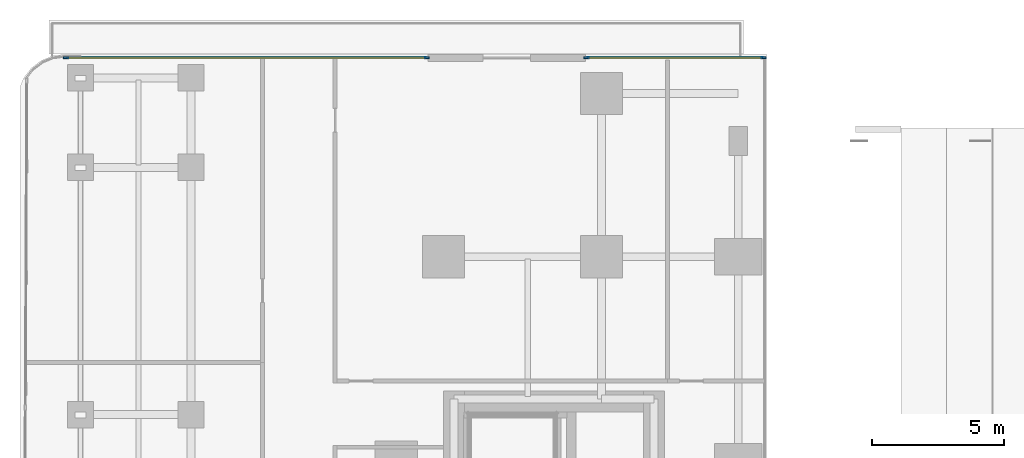
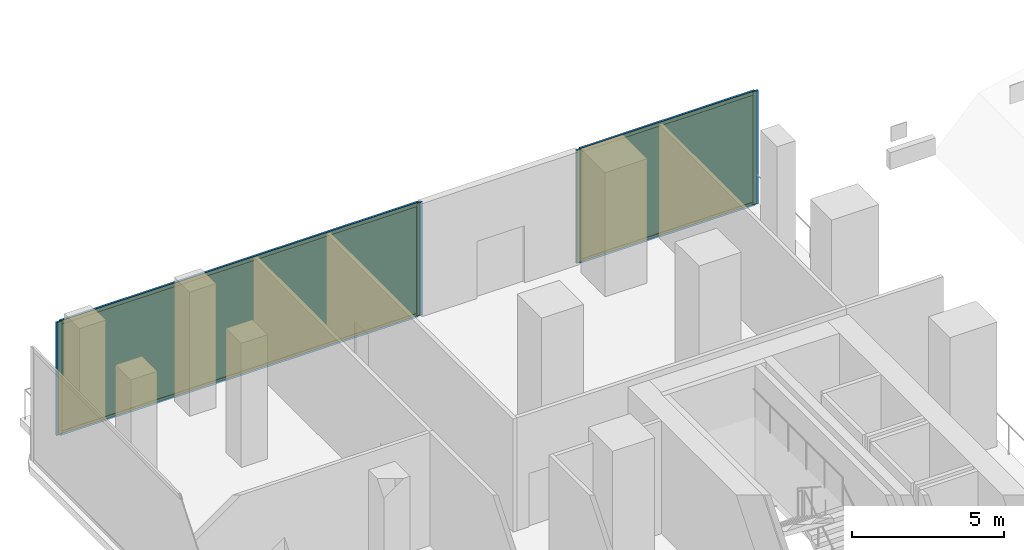
# One storey, part 19 of 32: 8 members, 2 curtain walls, 2 plates.
"""IFC4 building model written with IfcOpenShell, lengths in metres."""

import ifcopenshell
import ifcopenshell.guid

model = None  # the IFC model being written
_history = None  # IfcOwnerHistory: only IFC2X3 demands one
_inside = {}  # id of a spatial element -> (the spatial element, [elements in it])
_under = {}  # id of a project, library or spatial element -> (it, [spatial elements below it])
_declared = {}  # id of a project -> (the project, [libraries it declares])
_typed = {}  # id of a type object -> (the type object, [elements of that type])
_made_of = {}  # id of a material, layer set ... -> (it, [elements and type objects made of it])


def new_model(schema):
    """Start an empty IFC model of exactly this schema.

    Asked for "IFC4X3", IfcOpenShell would pick the latest addendum, in which some entities
    have other attributes; the version numbers below select the first issue.
    IFC2X3 requires an IfcOwnerHistory on every rooted entity: one is made here for all.
    """
    global model, _history
    if schema == "IFC4X3":
        model = ifcopenshell.file(schema_version=(4, 3, 0, 0))
    else:
        model = ifcopenshell.file(schema=schema)
    _inside.clear()
    _under.clear()
    _declared.clear()
    _typed.clear()
    _made_of.clear()
    _history = None
    if model.schema == "IFC2X3":
        org = make("IfcOrganization", Name="unknown")
        user = make(
            "IfcPersonAndOrganization",
            ThePerson=make("IfcPerson", FamilyName="unknown"),
            TheOrganization=org,
        )
        app = make(
            "IfcApplication",
            ApplicationDeveloper=org,
            Version="unknown",
            ApplicationFullName="unknown",
            ApplicationIdentifier="unknown",
        )
        _history = make(
            "IfcOwnerHistory",
            OwningUser=user,
            OwningApplication=app,
            ChangeAction="ADDED",
            CreationDate=0,
        )
    return model


def make(cls, **values):
    """One entity of the class cls with the attributes given. An attribute that is None is left unset."""
    return model.create_entity(
        cls, **{name: value for name, value in values.items() if value is not None}
    )


def rooted(cls, **values):
    """An entity with a GlobalId (a new one), such as an element, a storey or a relation."""
    return make(cls, GlobalId=ifcopenshell.guid.new(), OwnerHistory=_history, **values)


def si_unit(unit_type, name, prefix=None):
    """IfcSIUnit, for example si_unit("LENGTHUNIT", "METRE", prefix="MILLI")."""
    return make("IfcSIUnit", UnitType=unit_type, Prefix=prefix, Name=name)


def assignment(units):
    """IfcUnitAssignment: the units of a project."""
    return None if units is None else make("IfcUnitAssignment", Units=units)


def point(xyz):
    """IfcCartesianPoint."""
    return None if xyz is None else make("IfcCartesianPoint", Coordinates=xyz)


def direction(xyz):
    """IfcDirection."""
    return None if xyz is None else make("IfcDirection", DirectionRatios=xyz)


def frame(location, z_axis=None, x_axis=None):
    """IfcAxis2Placement3D, a coordinate frame: its origin and axes. An axis left out is left unset."""
    return make(
        "IfcAxis2Placement3D",
        Location=point(location),
        Axis=direction(z_axis),
        RefDirection=direction(x_axis),
    )


def frame_2d(location, x_axis=None):
    """IfcAxis2Placement2D, a coordinate frame in the plane: its origin and x axis."""
    return make(
        "IfcAxis2Placement2D", Location=point(location), RefDirection=direction(x_axis)
    )


def origin():
    """The frame at (0, 0, 0) with its axes left unset."""
    return frame((0.0, 0.0, 0.0))


def origin_2d():
    """The frame at (0, 0) in the plane with its x axis left unset."""
    return frame_2d((0.0, 0.0))


def place(relative_to, where):
    """IfcLocalPlacement: puts the frame where relative to a parent placement (None: the world)."""
    return make(
        "IfcLocalPlacement", PlacementRelTo=relative_to, RelativePlacement=where
    )


def context(
    kind, dimensions, precision=None, world=None, true_north=None, identifier=None
):
    """IfcGeometricRepresentationContext, for example the 3D "Model" context."""
    return make(
        "IfcGeometricRepresentationContext",
        ContextIdentifier=identifier,
        ContextType=kind,
        CoordinateSpaceDimension=dimensions,
        Precision=precision,
        WorldCoordinateSystem=world,
        TrueNorth=true_north,
    )


def subcontext(parent, identifier, kind, view, scale=None):
    """IfcGeometricRepresentationSubContext, for example "Body" below "Model"."""
    return make(
        "IfcGeometricRepresentationSubContext",
        ContextIdentifier=identifier,
        ContextType=kind,
        ParentContext=parent,
        TargetScale=scale,
        TargetView=view,
    )


def project(units=None, contexts=None):
    """IfcProject with its units and contexts."""
    return rooted(
        "IfcProject",
        Name="project",
        RepresentationContexts=contexts,
        UnitsInContext=assignment(units),
    )


def spatial(cls, under=None, at=None, **own):
    """A site, building, storey or space (cls), placed at a placement, below another one or the project."""
    s = rooted(cls, ObjectPlacement=at, **own)
    if under is not None:
        _under.setdefault(under.id(), (under, []))[1].append(s)
    return s


def profile(cls, at=None, kind="AREA", **sizes):
    """A parametric profile (cls). Its sizes go by their IFC names, for example OverallWidth=200.0."""
    return make(cls, ProfileType=kind, Position=at, **sizes)


def rectangle(**sizes):
    """IfcRectangleProfileDef."""
    return profile("IfcRectangleProfileDef", **sizes)


def extrude(swept, where, along, depth):
    """IfcExtrudedAreaSolid: the profile swept, set in the frame where, extruded along a direction by depth."""
    return make(
        "IfcExtrudedAreaSolid",
        SweptArea=swept,
        Position=where,
        ExtrudedDirection=direction(along),
        Depth=depth,
    )


def shape(context_of_items, identifier, shape_type, items):
    """IfcShapeRepresentation: the items that make up one representation, for example the "Body"."""
    return make(
        "IfcShapeRepresentation",
        ContextOfItems=context_of_items,
        RepresentationIdentifier=identifier,
        RepresentationType=shape_type,
        Items=items,
    )


def material(Name=None, Category=None):
    """IfcMaterial."""
    return make("IfcMaterial", Name=Name, Category=Category)


def layer(
    of_material, thickness, ventilated=None, Name=None, Category=None, Priority=None
):
    """IfcMaterialLayer: one layer of a wall or slab, of a material (None: an air gap)."""
    return make(
        "IfcMaterialLayer",
        Material=of_material,
        LayerThickness=thickness,
        IsVentilated=ventilated,
        Name=Name,
        Category=Category,
        Priority=Priority,
    )


def layer_set(layers, Name=None):
    """IfcMaterialLayerSet."""
    return make("IfcMaterialLayerSet", MaterialLayers=layers, LayerSetName=Name)


def material_profile(
    of_material, cross_section, Name=None, Category=None, Priority=None
):
    """IfcMaterialProfile: a cross section and its material."""
    return make(
        "IfcMaterialProfile",
        Name=Name,
        Material=of_material,
        Profile=cross_section,
        Priority=Priority,
        Category=Category,
    )


def profile_set(profiles, Name=None, composite=None):
    """IfcMaterialProfileSet."""
    return make(
        "IfcMaterialProfileSet",
        Name=Name,
        MaterialProfiles=profiles,
        CompositeProfile=composite,
    )


def made_of(thing, what):
    """Note that an element or type object is made of a material, layer set ...; save() writes the relation."""
    if what is not None:
        _made_of.setdefault(what.id(), (what, []))[1].append(thing)
    return thing


def type_object(cls, material=None, **own):
    """A type object (cls), such as IfcWallType, which elements share."""
    return made_of(rooted(cls, **own), material)


def element(
    cls,
    number,
    at=None,
    inside=None,
    cuts=None,
    type_object=None,
    material=None,
    context=None,
    identifier="Body",
    shape_type=None,
    held_by="IfcProductDefinitionShape",
    body=None,
    shapes=None,
    **own,
):
    """One element of the class cls, such as IfcWall. Its Tag is "e" and its number.

    at: its placement. inside: the storey or other place that contains it. cuts: it is an
    opening in that element (IfcRelVoidsElement). A single representation is given by context,
    identifier, shape_type and body (its items); several are given by shapes. held_by: the class
    of the entity that holds the representations. save() writes the other relations.
    """
    e = rooted(cls, Tag="e%d" % number, ObjectPlacement=at, **own)
    if body is not None:
        shapes = [shape(context, identifier, shape_type, body)]
    if shapes is not None:
        e.Representation = make(held_by, Representations=shapes)
    if inside is not None:
        _inside.setdefault(inside.id(), (inside, []))[1].append(e)
    if cuts is not None:
        rooted(
            "IfcRelVoidsElement", RelatingBuildingElement=cuts, RelatedOpeningElement=e
        )
    if type_object is not None:
        _typed.setdefault(type_object.id(), (type_object, []))[1].append(e)
    return made_of(e, material)


def aggregate(whole, parts):
    """IfcRelAggregates: a whole, such as a stair, and the parts it consists of."""
    return rooted("IfcRelAggregates", RelatingObject=whole, RelatedObjects=parts)


def save(model, path):
    """Write the relations noted so far, then the file.

    IfcRelAggregates (storeys below a building ...), IfcRelContainedInSpatialStructure (elements
    in a storey), IfcRelDefinesByType, IfcRelAssociatesMaterial and IfcRelDeclares: one each for
    every whole, place, type object, material and project.
    """
    for whole, parts in _under.values():
        aggregate(whole, parts)
    for where, things in _inside.values():
        rooted(
            "IfcRelContainedInSpatialStructure",
            RelatedElements=things,
            RelatingStructure=where,
        )
    for kind, things in _typed.values():
        rooted("IfcRelDefinesByType", RelatedObjects=things, RelatingType=kind)
    for what, things in _made_of.values():
        rooted("IfcRelAssociatesMaterial", RelatedObjects=things, RelatingMaterial=what)
    for by, libraries in _declared.values():
        rooted("IfcRelDeclares", RelatingContext=by, RelatedDefinitions=libraries)
    model.write(path)


model = new_model("IFC4")

# Units and contexts
model_context = context("Model", 3, precision=1e-05, world=origin(), true_north=direction((0.0, 1.0)))
body_context = subcontext(model_context, "Body", "Model", "MODEL_VIEW")
ifc_project = project(units=[si_unit("LENGTHUNIT", "METRE"), si_unit("AREAUNIT", "SQUARE_METRE"), si_unit("VOLUMEUNIT", "CUBIC_METRE"), si_unit("PLANEANGLEUNIT", "RADIAN"), si_unit("MASSUNIT", "GRAM", prefix="KILO")], contexts=[model_context])

# Member
ifc_material_1 = material(Name="Anodised Bronze Aluminium 6063-T6", Category="aluminium")
ifc_material_profile_1 = material_profile(ifc_material_1, rectangle(XDim=0.074951171875, YDim=0.199951171875, at=origin_2d()))
ifc_profile_set_1 = profile_set([ifc_material_profile_1], Name="Anodised Bronze Aluminium 6063-T6")
member_type_1 = type_object("IfcMemberType", Name="CW-POD Mullion 75x200", PredefinedType="MULLION", material=ifc_profile_set_1)
site_placement = place(None, origin())
building_placement = place(site_placement, origin())
storey_placement = place(building_placement, frame((0.0, 0.0, 16.0)))
member_1_placement = place(storey_placement, frame((-34.75341796875, 26.159912109375, 0.0), z_axis=(0.0, 0.0, 1.0), x_axis=(0.0, 1.0, 0.0)))
member_1 = element("IfcMember", 1, at=member_1_placement, type_object=member_type_1, Name="CW-POD mullion 1", PredefinedType="MULLION", context=body_context, shape_type="SweptSolid", body=[
    extrude(rectangle(XDim=0.074951171875, YDim=0.199951171875, at=origin_2d()), origin(), (0.0, 0.0, 1.0), 4.550048828125),
])

member_2_placement = place(storey_placement, frame((-21.03759765625, 26.159912109375, 0.0), z_axis=(0.0, 0.0, 1.0), x_axis=(0.0, 1.0, 0.0)))
member_2 = element("IfcMember", 2, at=member_2_placement, type_object=member_type_1, Name="CW-POD mullion 2", PredefinedType="MULLION", context=body_context, shape_type="SweptSolid", body=[
    extrude(rectangle(XDim=0.074951171875, YDim=0.199951171875, at=origin_2d()), origin(), (0.0, 0.0, 1.0), 4.550048828125),
])

member_3_placement = place(storey_placement, frame((-14.96240234375, 26.159912109375, 0.0), z_axis=(0.0, 0.0, 1.0), x_axis=(0.0, 1.0, 0.0)))
member_3 = element("IfcMember", 3, at=member_3_placement, type_object=member_type_1, Name="CW-POD mullion 1", PredefinedType="MULLION", context=body_context, shape_type="SweptSolid", body=[
    extrude(rectangle(XDim=0.074951171875, YDim=0.199951171875, at=origin_2d()), origin(), (0.0, 0.0, 1.0), 4.550048828125),
])

member_4_placement = place(storey_placement, frame((-8.237548828125, 26.159912109375, 0.0), z_axis=(0.0, 0.0, 1.0), x_axis=(0.0, 1.0, 0.0)))
member_4 = element("IfcMember", 4, at=member_4_placement, type_object=member_type_1, Name="CW-POD mullion 2", PredefinedType="MULLION", context=body_context, shape_type="SweptSolid", body=[
    extrude(rectangle(XDim=0.074951171875, YDim=0.199951171875, at=origin_2d()), origin(), (0.0, 0.0, 1.0), 4.550048828125),
])

ifc_material_2 = material(Name="Anodised Bronze Aluminium 6063-T6", Category="aluminium")
ifc_material_profile_2 = material_profile(ifc_material_2, rectangle(XDim=0.074951171875, YDim=0.159912109375, at=origin_2d()))
ifc_profile_set_2 = profile_set([ifc_material_profile_2], Name="Anodised Bronze Aluminium 6063-T6")
member_type_2 = type_object("IfcMemberType", Name="CW-POD Transom 75x160", PredefinedType="USERDEFINED", material=ifc_profile_set_2)
member_5_placement = place(storey_placement, frame((-34.7158203125, 26.159912109375, 0.03759765625), z_axis=(1.0, 0.0, 0.0), x_axis=(0.0, 1.0, 0.0)))
member_5 = element("IfcMember", 5, at=member_5_placement, type_object=member_type_2, Name="CW-POD transom 1.1", ObjectType="TRANSOM", PredefinedType="USERDEFINED", context=body_context, shape_type="SweptSolid", body=[
    extrude(rectangle(XDim=0.074951171875, YDim=0.159912109375, at=origin_2d()), origin(), (0.0, 0.0, 1.0), 13.640869140625),
])

member_6_placement = place(storey_placement, frame((-34.7158203125, 26.159912109375, 4.512451171875), z_axis=(1.0, 0.0, 0.0), x_axis=(0.0, 1.0, 0.0)))
member_6 = element("IfcMember", 6, at=member_6_placement, type_object=member_type_2, Name="CW-POD transom 1.2", ObjectType="TRANSOM", PredefinedType="USERDEFINED", context=body_context, shape_type="SweptSolid", body=[
    extrude(rectangle(XDim=0.074951171875, YDim=0.159912109375, at=origin_2d()), origin(), (0.0, 0.0, 1.0), 13.640869140625),
])

member_7_placement = place(storey_placement, frame((-14.925048828125, 26.159912109375, 0.03759765625), z_axis=(1.0, 0.0, 0.0), x_axis=(0.0, 1.0, 0.0)))
member_7 = element("IfcMember", 7, at=member_7_placement, type_object=member_type_2, Name="CW-POD transom 1.1", ObjectType="TRANSOM", PredefinedType="USERDEFINED", context=body_context, shape_type="SweptSolid", body=[
    extrude(rectangle(XDim=0.074951171875, YDim=0.159912109375, at=origin_2d()), origin(), (0.0, 0.0, 1.0), 6.650146484375),
])

member_8_placement = place(storey_placement, frame((-14.925048828125, 26.159912109375, 4.512451171875), z_axis=(1.0, 0.0, 0.0), x_axis=(0.0, 1.0, 0.0)))
member_8 = element("IfcMember", 8, at=member_8_placement, type_object=member_type_2, Name="CW-POD transom 1.2", ObjectType="TRANSOM", PredefinedType="USERDEFINED", context=body_context, shape_type="SweptSolid", body=[
    extrude(rectangle(XDim=0.074951171875, YDim=0.159912109375, at=origin_2d()), origin(), (0.0, 0.0, 1.0), 6.650146484375),
])

# Plate
ifc_material_3 = material(Name="Low-E Solar Control Laminated Glass", Category="glass")
ifc_layer_1 = layer(ifc_material_3, 0.031982421875, Name="Low-E Solar Control Laminated Glass")
ifc_layer_set_1 = layer_set([ifc_layer_1], Name="Low-E Solar Control Laminated Glass")
plate_type = type_object("IfcPlateType", Name="CW-POD Low-E Double Glazed Panel 32mm", PredefinedType="CURTAIN_PANEL", material=ifc_layer_set_1)
plate_1_placement = place(storey_placement, frame((-27.8955078125, 26.159912109375, 0.074951171875), z_axis=(0.0, 0.0, 1.0), x_axis=(1.0, 0.0, 0.0)))
plate_1 = element("IfcPlate", 9, at=plate_1_placement, type_object=plate_type, Name="CW-POD panel 1.1", PredefinedType="CURTAIN_PANEL", context=body_context, shape_type="SweptSolid", body=[
    extrude(rectangle(XDim=13.640869140625, YDim=0.031982421875, at=origin_2d()), origin(), (0.0, 0.0, 1.0), 4.39990234375),
])

plate_2_placement = place(storey_placement, frame((-11.60009765625, 26.159912109375, 0.074951171875), z_axis=(0.0, 0.0, 1.0), x_axis=(1.0, 0.0, 0.0)))
plate_2 = element("IfcPlate", 10, at=plate_2_placement, type_object=plate_type, Name="CW-POD panel 1.1", PredefinedType="CURTAIN_PANEL", context=body_context, shape_type="SweptSolid", body=[
    extrude(rectangle(XDim=6.64990234375, YDim=0.031982421875, at=origin_2d()), origin(), (0.0, 0.0, 1.0), 4.39990234375),
])

# Site, building, storey
site = spatial("IfcSite", under=ifc_project, at=site_placement, CompositionType="ELEMENT")
building = spatial("IfcBuilding", under=site, at=building_placement, Name="Khairoan Windgate Tower", CompositionType="ELEMENT")
storey = spatial("IfcBuildingStorey", under=building, at=storey_placement, Name="L04", CompositionType="ELEMENT", Elevation=16.0)

# Curtain wall
ifc_material_4 = material(Name="Anodised Bronze Aluminium 6063-T6", Category="aluminium")
ifc_layer_2 = layer(ifc_material_4, 0.199951171875, Name="Anodised Bronze Aluminium 6063-T6")
ifc_layer_set_2 = layer_set([ifc_layer_2], Name="Anodised Bronze Aluminium 6063-T6")
curtain_wall_type = type_object("IfcCurtainWallType", Name="Podium Arch Galleria Curtain Wall CW-POD", PredefinedType="NOTDEFINED", material=ifc_layer_set_2)
curtain_wall_1_placement = place(storey_placement, frame((-34.790771484375, 26.159912109375, 0.0), z_axis=(0.0, 0.0, 1.0), x_axis=(1.0, 0.0, 0.0)))
curtain_wall_1 = element("IfcCurtainWall", 11, at=curtain_wall_1_placement, inside=storey, type_object=curtain_wall_type, Name="L04 West Wing CW 6A", PredefinedType="NOTDEFINED", context=body_context, shape_type="SweptSolid", body=[
    extrude(rectangle(XDim=13.790771484375, YDim=0.010009765625, at=frame_2d((6.8955078125, 0.0))), origin(), (0.0, 0.0, 1.0), 4.550048828125),
])

aggregate(curtain_wall_1, [member_1, member_2, member_5, member_6, plate_1])

curtain_wall_2_placement = place(storey_placement, frame((-15.0, 26.159912109375, 0.0), z_axis=(0.0, 0.0, 1.0), x_axis=(1.0, 0.0, 0.0)))
curtain_wall_2 = element("IfcCurtainWall", 12, at=curtain_wall_2_placement, inside=storey, type_object=curtain_wall_type, Name="L04 West Wing CW 6B", PredefinedType="NOTDEFINED", context=body_context, shape_type="SweptSolid", body=[
    extrude(rectangle(XDim=6.800048828125, YDim=0.010009765625, at=frame_2d((3.39990234375, 0.0))), origin(), (0.0, 0.0, 1.0), 4.550048828125),
])

aggregate(curtain_wall_2, [member_3, member_4, member_7, member_8, plate_2])

save(model, "model.ifc")
